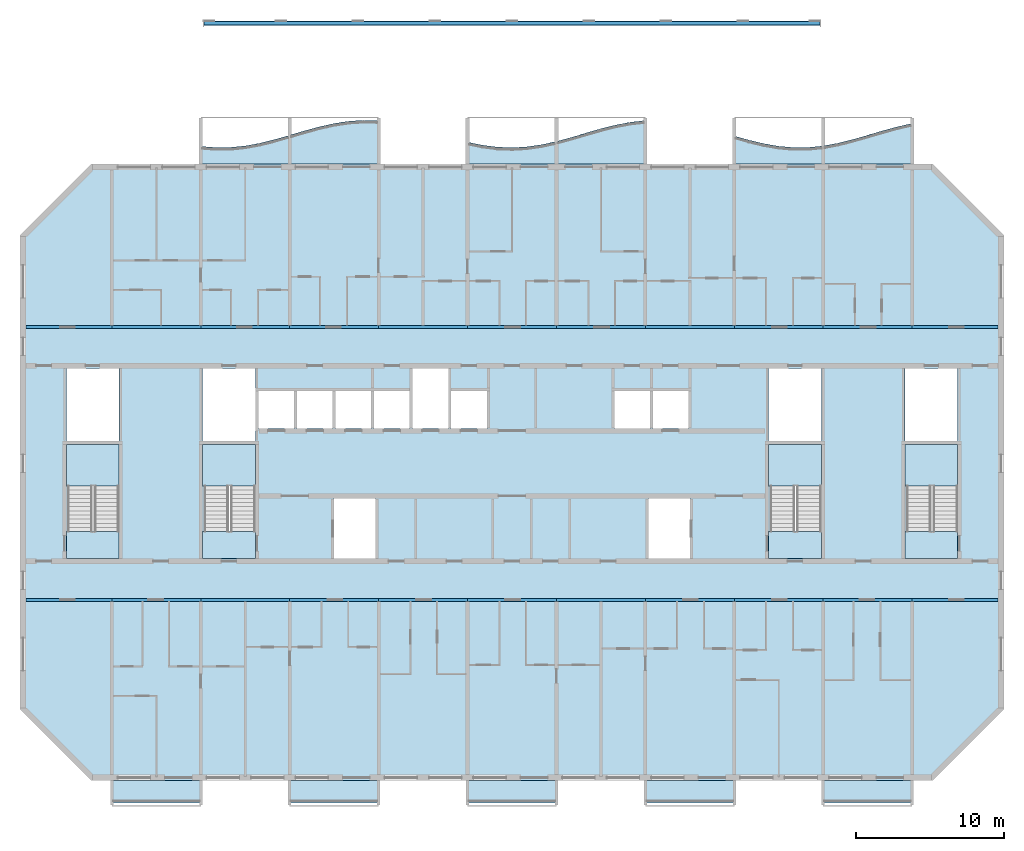
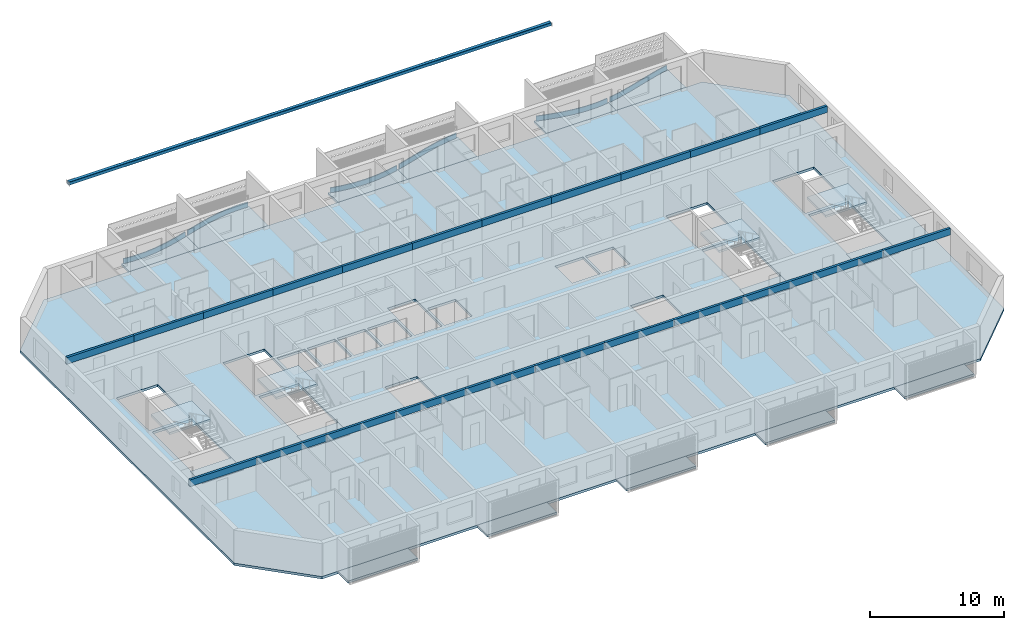
# One storey, part 1 of 20: 22 beams, 20 slabs, 6 plates, 1 member, 4 elements without a shape of their own.
"""IFC4 building model written with IfcOpenShell, lengths in metres."""

from ifc_helpers import new_model, si_unit, direction, frame, origin, origin_2d, place, context, subcontext, project, spatial, polyline, rectangle, hollow_rectangle, outline, extrude, source, transform, mapped, material, layer, layer_set, material_profile, profile_set, type_object, element, aggregate, save


model = new_model("IFC4")

# Units and contexts
model_context = context("Model", 3, precision=1e-05, world=origin(), true_north=direction((0.0, 1.0)))
body_context = subcontext(model_context, "Body", "Model", "MODEL_VIEW")
ifc_project = project(units=[si_unit("LENGTHUNIT", "METRE"), si_unit("AREAUNIT", "SQUARE_METRE"), si_unit("VOLUMEUNIT", "CUBIC_METRE"), si_unit("PLANEANGLEUNIT", "RADIAN"), si_unit("MASSUNIT", "GRAM", prefix="KILO")], contexts=[model_context])

# Site, building, storey
site_placement = place(None, origin())
site = spatial("IfcSite", under=ifc_project, at=site_placement, CompositionType="ELEMENT")
building_placement = place(site_placement, origin())
building = spatial("IfcBuilding", under=site, at=building_placement, Name="Poui Terraces", CompositionType="ELEMENT")
storey_placement = place(building_placement, frame((0.0, 0.0, 257.699951171875)))
storey = spatial("IfcBuildingStorey", under=building, at=storey_placement, Name="L72", CompositionType="ELEMENT", Elevation=257.699951171875)

# Member
ifc_material_1 = material(Name="Steel Grade 350 MPa", Category="steel")
ifc_material_profile_1 = material_profile(ifc_material_1, hollow_rectangle(XDim=0.300048828125, YDim=0.300048828125, WallThickness=0.01611328125, InnerFilletRadius=0.02392578125, OuterFilletRadius=0.0400390625, at=origin_2d()), Name="300x300x16.0 SHS")
ifc_profile_set_1 = profile_set([ifc_material_profile_1], Name="Steel Grade 350 MPa")
member_type = type_object("IfcMemberType", Name="TIP TRUSS BOTTOM CHORD 300x300x16.0 SHS", PredefinedType="BRACE", material=ifc_profile_set_1)
member_placement = place(storey_placement, frame((30.199951171875, 50.89990234375, 2.25), z_axis=(1.0, 0.0, 0.0), x_axis=(0.0, 1.0, 0.0)))
element("IfcMember", 1, at=member_placement, inside=storey, type_object=member_type, Name="TIP TRUSS BOTTOM CHORD", PredefinedType="BRACE", context=body_context, shape_type="SweptSolid", body=[
    extrude(hollow_rectangle(XDim=0.300048828125, YDim=0.300048828125, WallThickness=0.01611328125, InnerFilletRadius=0.02392578125, OuterFilletRadius=0.0400390625, at=origin_2d()), origin(), (0.0, 0.0, 1.0), 41.60009765625),
])

# Beams
ifc_material_2 = material(Name="Concrete 50 MPa", Category="concrete")
ifc_material_profile_2 = material_profile(ifc_material_2, rectangle(XDim=0.199951171875, YDim=0.60009765625, at=origin_2d()), Name="RC 200x600")
ifc_profile_set_2 = profile_set([ifc_material_profile_2], Name="Concrete 50 MPa")
beam_type = type_object("IfcBeamType", Name="COUPLING BEAM 200x600 50MPa", PredefinedType="BEAM", material=ifc_profile_set_2)
shared_shape_1 = source(origin(), body_context, "Body", "SweptSolid", [
    extrude(rectangle(XDim=0.199951171875, YDim=0.60009765625, at=origin_2d()), origin(), (0.0, 0.0, 1.0), 5.800048828125),
])
for number, where, z_axis, x_axis, name in (
    (2, (18.199951171875, 12.0, 2.699951171875), (1.0, 0.0, 0.0), (0.0, 1.0, 0.0), "COUPLING BEAM LINE B BAY 1"),
    (3, (78.0, 12.0, 2.699951171875), (1.0, 0.0, 0.0), (0.0, 1.0, 0.0), "COUPLING BEAM LINE B BAY 11"),
    (4, (18.199951171875, 30.39990234375, 2.699951171875), (1.0, 0.0, 0.0), (0.0, 1.0, 0.0), "COUPLING BEAM LINE E BAY 1"),
    (5, (78.0, 30.39990234375, 2.699951171875), (1.0, 0.0, 0.0), (0.0, 1.0, 0.0), "COUPLING BEAM LINE E BAY 11"),
):
    element("IfcBeam", number, at=place(storey_placement, frame(where, z_axis=z_axis, x_axis=x_axis)), inside=storey, type_object=beam_type, Name=name, PredefinedType="BEAM", context=body_context, shape_type="MappedRepresentation", body=[
        mapped(shared_shape_1, transform((0.0, 0.0, 0.0))),
    ])
shared_shape_2 = source(origin(), body_context, "Body", "SweptSolid", [
    extrude(rectangle(XDim=0.199951171875, YDim=0.60009765625, at=origin_2d()), origin(), (0.0, 0.0, 1.0), 6.0),
])
for number, where, z_axis, x_axis, name in (
    (6, (24.0, 12.0, 2.699951171875), (1.0, 0.0, 0.0), (0.0, 1.0, 0.0), "COUPLING BEAM LINE B BAY 2"),
    (7, (30.0, 12.0, 2.699951171875), (1.0, 0.0, 0.0), (0.0, 1.0, 0.0), "COUPLING BEAM LINE B BAY 3"),
    (8, (36.0, 12.0, 2.699951171875), (1.0, 0.0, 0.0), (0.0, 1.0, 0.0), "COUPLING BEAM LINE B BAY 4"),
    (9, (42.0, 12.0, 2.699951171875), (1.0, 0.0, 0.0), (0.0, 1.0, 0.0), "COUPLING BEAM LINE B BAY 5"),
    (10, (48.0, 12.0, 2.699951171875), (1.0, 0.0, 0.0), (0.0, 1.0, 0.0), "COUPLING BEAM LINE B BAY 6"),
    (11, (54.0, 12.0, 2.699951171875), (1.0, 0.0, 0.0), (0.0, 1.0, 0.0), "COUPLING BEAM LINE B BAY 7"),
    (12, (60.0, 12.0, 2.699951171875), (1.0, 0.0, 0.0), (0.0, 1.0, 0.0), "COUPLING BEAM LINE B BAY 8"),
    (13, (66.0, 12.0, 2.699951171875), (1.0, 0.0, 0.0), (0.0, 1.0, 0.0), "COUPLING BEAM LINE B BAY 9"),
    (14, (72.0, 12.0, 2.699951171875), (1.0, 0.0, 0.0), (0.0, 1.0, 0.0), "COUPLING BEAM LINE B BAY 10"),
    (15, (24.0, 30.39990234375, 2.699951171875), (1.0, 0.0, 0.0), (0.0, 1.0, 0.0), "COUPLING BEAM LINE E BAY 2"),
    (16, (30.0, 30.39990234375, 2.699951171875), (1.0, 0.0, 0.0), (0.0, 1.0, 0.0), "COUPLING BEAM LINE E BAY 3"),
    (17, (36.0, 30.39990234375, 2.699951171875), (1.0, 0.0, 0.0), (0.0, 1.0, 0.0), "COUPLING BEAM LINE E BAY 4"),
    (18, (42.0, 30.39990234375, 2.699951171875), (1.0, 0.0, 0.0), (0.0, 1.0, 0.0), "COUPLING BEAM LINE E BAY 5"),
    (19, (48.0, 30.39990234375, 2.699951171875), (1.0, 0.0, 0.0), (0.0, 1.0, 0.0), "COUPLING BEAM LINE E BAY 6"),
    (20, (54.0, 30.39990234375, 2.699951171875), (1.0, 0.0, 0.0), (0.0, 1.0, 0.0), "COUPLING BEAM LINE E BAY 7"),
    (21, (60.0, 30.39990234375, 2.699951171875), (1.0, 0.0, 0.0), (0.0, 1.0, 0.0), "COUPLING BEAM LINE E BAY 8"),
    (22, (66.0, 30.39990234375, 2.699951171875), (1.0, 0.0, 0.0), (0.0, 1.0, 0.0), "COUPLING BEAM LINE E BAY 9"),
    (23, (72.0, 30.39990234375, 2.699951171875), (1.0, 0.0, 0.0), (0.0, 1.0, 0.0), "COUPLING BEAM LINE E BAY 10"),
):
    element("IfcBeam", number, at=place(storey_placement, frame(where, z_axis=z_axis, x_axis=x_axis)), inside=storey, type_object=beam_type, Name=name, PredefinedType="BEAM", context=body_context, shape_type="MappedRepresentation", body=[
        mapped(shared_shape_2, transform((0.0, 0.0, 0.0))),
    ])

# Slabs
ifc_material_3 = material(Name="Precast concrete 40 MPa", Category="concrete")
ifc_layer_1 = layer(ifc_material_3, 0.199951171875)
ifc_layer_set_1 = layer_set([ifc_layer_1], Name="Precast concrete 40 MPa")
slab_type_1 = type_object("IfcSlabType", Name="BALCONY SLAB 200", PredefinedType="FLOOR", material=ifc_layer_set_1)
slab_1_placement = place(storey_placement, frame((0.0, 0.0, -0.199951171875)))
element("IfcSlab", 24, at=slab_1_placement, inside=storey, type_object=slab_type_1, Name="BALCONY SLAB", PredefinedType="FLOOR", context=body_context, shape_type="SweptSolid", body=[
    extrude(outline(polyline([(30.0, 41.39990234375), (36.0, 41.39990234375), (36.0, 43.338134765625), (35.0, 43.051025390625), (34.0, 42.802490234375), (33.0, 42.617919921875), (32.0, 42.516357421875), (31.0, 42.50830078125), (30.0, 42.5947265625), (30.0, 41.39990234375)])), origin(), (0.0, 0.0, 1.0), 0.199951171875),
])
slab_2_placement = place(storey_placement, frame((0.0, 0.0, -0.199951171875)))
element("IfcSlab", 25, at=slab_2_placement, inside=storey, type_object=slab_type_1, Name="BALCONY SLAB", PredefinedType="FLOOR", context=body_context, shape_type="SweptSolid", body=[
    extrude(outline(polyline([(36.0, 41.39990234375), (42.0, 41.39990234375), (42.0, 44.31689453125), (41.0, 44.3486328125), (40.0, 44.285400390625), (39.0, 44.133544921875), (38.0, 43.90869140625), (37.0, 43.63427734375), (36.0, 43.338134765625), (36.0, 41.39990234375)])), origin(), (0.0, 0.0, 1.0), 0.199951171875),
])
slab_3_placement = place(storey_placement, frame((0.0, 0.0, -0.199951171875)))
element("IfcSlab", 26, at=slab_3_placement, inside=storey, type_object=slab_type_1, Name="BALCONY SLAB", PredefinedType="FLOOR", context=body_context, shape_type="SweptSolid", body=[
    extrude(outline(polyline([(48.0, 41.39990234375), (54.0, 41.39990234375), (54.0, 42.920166015625), (53.0, 42.70068359375), (52.0, 42.555908203125), (51.0, 42.500244140625), (50.0, 42.5400390625), (49.0, 42.6708984375), (48.0, 42.87939453125), (48.0, 41.39990234375)])), origin(), (0.0, 0.0, 1.0), 0.199951171875),
])
slab_4_placement = place(storey_placement, frame((0.0, 0.0, -0.199951171875)))
element("IfcSlab", 27, at=slab_4_placement, inside=storey, type_object=slab_type_1, Name="BALCONY SLAB", PredefinedType="FLOOR", context=body_context, shape_type="SweptSolid", body=[
    extrude(outline(polyline([(54.0, 41.39990234375), (60.0, 41.39990234375), (60.0, 44.32861328125), (59.0, 44.2197265625), (58.0, 44.029052734375), (57.0, 43.776123046875), (56.0, 43.487060546875), (55.0, 43.191650390625), (54.0, 42.920166015625), (54.0, 41.39990234375)])), origin(), (0.0, 0.0, 1.0), 0.199951171875),
])
slab_5_placement = place(storey_placement, frame((0.0, 0.0, -0.199951171875)))
element("IfcSlab", 28, at=slab_5_placement, inside=storey, type_object=slab_type_1, Name="BALCONY SLAB", PredefinedType="FLOOR", context=body_context, shape_type="SweptSolid", body=[
    extrude(outline(polyline([(66.0, 41.39990234375), (72.0, 41.39990234375), (72.0, 42.617919921875), (71.0, 42.516357421875), (70.0, 42.50830078125), (69.0, 42.5947265625), (68.0, 42.7666015625), (67.0, 43.006103515625), (66.0, 43.288818359375), (66.0, 41.39990234375)])), origin(), (0.0, 0.0, 1.0), 0.199951171875),
])
slab_6_placement = place(storey_placement, frame((0.0, 0.0, -0.199951171875)))
element("IfcSlab", 29, at=slab_6_placement, inside=storey, type_object=slab_type_1, Name="BALCONY SLAB", PredefinedType="FLOOR", context=body_context, shape_type="SweptSolid", body=[
    extrude(outline(polyline([(72.0, 41.39990234375), (78.0, 41.39990234375), (78.0, 44.133544921875), (77.0, 43.90869140625), (76.0, 43.63427734375), (75.0, 43.338134765625), (74.0, 43.051025390625), (73.0, 42.802490234375), (72.0, 42.617919921875), (72.0, 41.39990234375)])), origin(), (0.0, 0.0, 1.0), 0.199951171875),
])

# Stair, slabs
stair_type = type_object("IfcStairType", Name="EXIT STAIR 1650 50 MPA", PredefinedType="HALF_TURN_STAIR", material=ifc_material_2)
stair_1_placement = place(storey_placement, origin())
stair_1 = element("IfcStair", 30, at=stair_1_placement, inside=storey, type_object=stair_type, Name="L72 CORE STAIR EAST", PredefinedType="HALF_TURN_STAIR")
ifc_layer_2 = layer(ifc_material_2, 0.199951171875)
ifc_layer_set_2 = layer_set([ifc_layer_2], Name="Concrete 50 MPa")
slab_type_2 = type_object("IfcSlabType", Name="STAIR LANDING 200 50 MPA", PredefinedType="LANDING", material=ifc_layer_set_2)
slab_7_placement = place(storey_placement, frame((0.0, 0.0, 1.449951171875)))
slab_7 = element("IfcSlab", 31, at=slab_7_placement, type_object=slab_type_2, Name="ST-CE landing 1", PredefinedType="LANDING", context=body_context, shape_type="SweptSolid", body=[
    extrude(outline(polyline([(68.324951171875, 19.679931640625), (71.875, 19.679931640625), (71.875, 22.47509765625), (68.324951171875, 22.47509765625), (68.324951171875, 19.679931640625)])), origin(), (0.0, 0.0, 1.0), 0.2001953125),
])
slab_8_placement = place(storey_placement, frame((0.0, 0.0, -0.199951171875)))
slab_8 = element("IfcSlab", 32, at=slab_8_placement, type_object=slab_type_2, Name="ST-CE landing 2", PredefinedType="LANDING", context=body_context, shape_type="SweptSolid", body=[
    extrude(outline(polyline([(68.324951171875, 14.77490234375), (71.875, 14.77490234375), (71.875, 16.60009765625), (68.324951171875, 16.60009765625), (68.324951171875, 14.77490234375)])), origin(), (0.0, 0.0, 1.0), 0.199951171875),
])
aggregate(stair_1, [slab_7, slab_8])

stair_2_placement = place(storey_placement, origin())
stair_2 = element("IfcStair", 33, at=stair_2_placement, inside=storey, type_object=stair_type, Name="L72 CORE STAIR WEST", PredefinedType="HALF_TURN_STAIR")
slab_9_placement = place(storey_placement, frame((0.0, 0.0, 1.449951171875)))
slab_9 = element("IfcSlab", 34, at=slab_9_placement, type_object=slab_type_2, Name="ST-CW landing 1", PredefinedType="LANDING", context=body_context, shape_type="SweptSolid", body=[
    extrude(outline(polyline([(30.125, 19.679931640625), (33.675048828125, 19.679931640625), (33.675048828125, 22.47509765625), (30.125, 22.47509765625), (30.125, 19.679931640625)])), origin(), (0.0, 0.0, 1.0), 0.2001953125),
])
slab_10_placement = place(storey_placement, frame((0.0, 0.0, -0.199951171875)))
slab_10 = element("IfcSlab", 35, at=slab_10_placement, type_object=slab_type_2, Name="ST-CW landing 2", PredefinedType="LANDING", context=body_context, shape_type="SweptSolid", body=[
    extrude(outline(polyline([(30.125, 14.77490234375), (33.675048828125, 14.77490234375), (33.675048828125, 16.60009765625), (30.125, 16.60009765625), (30.125, 14.77490234375)])), origin(), (0.0, 0.0, 1.0), 0.199951171875),
])
aggregate(stair_2, [slab_9, slab_10])

stair_3_placement = place(storey_placement, origin())
stair_3 = element("IfcStair", 36, at=stair_3_placement, inside=storey, type_object=stair_type, Name="L72 TIP STAIR EAST", PredefinedType="HALF_TURN_STAIR")
slab_11_placement = place(storey_placement, frame((0.0, 0.0, 1.449951171875)))
slab_11 = element("IfcSlab", 37, at=slab_11_placement, type_object=slab_type_2, Name="ST-E landing 1", PredefinedType="LANDING", context=body_context, shape_type="SweptSolid", body=[
    extrude(outline(polyline([(77.52490234375, 19.679931640625), (81.074951171875, 19.679931640625), (81.074951171875, 22.47509765625), (77.52490234375, 22.47509765625), (77.52490234375, 19.679931640625)])), origin(), (0.0, 0.0, 1.0), 0.2001953125),
])
slab_12_placement = place(storey_placement, frame((0.0, 0.0, -0.199951171875)))
slab_12 = element("IfcSlab", 38, at=slab_12_placement, type_object=slab_type_2, Name="ST-E landing 2", PredefinedType="LANDING", context=body_context, shape_type="SweptSolid", body=[
    extrude(outline(polyline([(77.52490234375, 14.77490234375), (81.074951171875, 14.77490234375), (81.074951171875, 16.60009765625), (77.52490234375, 16.60009765625), (77.52490234375, 14.77490234375)])), origin(), (0.0, 0.0, 1.0), 0.199951171875),
])
aggregate(stair_3, [slab_11, slab_12])

stair_4_placement = place(storey_placement, origin())
stair_4 = element("IfcStair", 39, at=stair_4_placement, inside=storey, type_object=stair_type, Name="L72 TIP STAIR WEST", PredefinedType="HALF_TURN_STAIR")
slab_13_placement = place(storey_placement, frame((0.0, 0.0, 1.449951171875)))
slab_13 = element("IfcSlab", 40, at=slab_13_placement, type_object=slab_type_2, Name="ST-W landing 1", PredefinedType="LANDING", context=body_context, shape_type="SweptSolid", body=[
    extrude(outline(polyline([(20.925048828125, 19.679931640625), (24.47509765625, 19.679931640625), (24.47509765625, 22.47509765625), (20.925048828125, 22.47509765625), (20.925048828125, 19.679931640625)])), origin(), (0.0, 0.0, 1.0), 0.2001953125),
])
slab_14_placement = place(storey_placement, frame((0.0, 0.0, -0.199951171875)))
slab_14 = element("IfcSlab", 41, at=slab_14_placement, type_object=slab_type_2, Name="ST-W landing 2", PredefinedType="LANDING", context=body_context, shape_type="SweptSolid", body=[
    extrude(outline(polyline([(20.925048828125, 14.77490234375), (24.47509765625, 14.77490234375), (24.47509765625, 16.60009765625), (20.925048828125, 16.60009765625), (20.925048828125, 14.77490234375)])), origin(), (0.0, 0.0, 1.0), 0.199951171875),
])
aggregate(stair_4, [slab_13, slab_14])

# Plates
ifc_layer_3 = layer(ifc_material_3, 0.080078125)
ifc_layer_set_3 = layer_set([ifc_layer_3], Name="Precast concrete 40 MPa")
plate_type = type_object("IfcPlateType", Name="SUNSHADE UPSTAND 80", PredefinedType="SHEET", material=ifc_layer_set_3)
plate_1_placement = place(storey_placement, origin())
element("IfcPlate", 42, at=plate_1_placement, inside=storey, type_object=plate_type, Name="SUNSHADE UPSTAND", PredefinedType="SHEET", context=body_context, shape_type="SweptSolid", body=[
    extrude(outline(polyline([(31.00146484375, 42.50341796875), (30.128173828125, 42.57373046875), (30.121826171875, 42.494140625), (30.99853515625, 42.42333984375), (32.002197265625, 42.431396484375), (33.005615234375, 42.533203125), (34.008544921875, 42.71826171875), (35.01025390625, 42.96728515625), (35.885986328125, 43.2177734375), (35.864013671875, 43.294677734375), (34.98974609375, 43.044677734375), (33.991455078125, 42.79638671875), (32.994384765625, 42.6123046875), (31.997802734375, 42.51123046875), (31.00146484375, 42.50341796875)])), origin(), (0.0, 0.0, 1.0), 0.449951171875),
])
plate_2_placement = place(storey_placement, origin())
element("IfcPlate", 43, at=plate_2_placement, inside=storey, type_object=plate_type, Name="SUNSHADE UPSTAND", PredefinedType="SHEET", context=body_context, shape_type="SweptSolid", body=[
    extrude(outline(polyline([(36.989013671875, 43.627685546875), (36.113525390625, 43.36865234375), (36.136474609375, 43.2919921875), (37.010986328125, 43.55078125), (38.009765625, 43.824951171875), (39.00732421875, 44.04931640625), (40.00439453125, 44.20068359375), (41.000732421875, 44.263671875), (41.8740234375, 44.240966796875), (41.8759765625, 44.32080078125), (41.842041015625, 44.322021484375), (40.999267578125, 44.34375), (39.99560546875, 44.2802734375), (38.99267578125, 44.1279296875), (37.990234375, 43.902587890625), (36.989013671875, 43.627685546875)])), origin(), (0.0, 0.0, 1.0), 0.449951171875),
])
plate_3_placement = place(storey_placement, origin())
element("IfcPlate", 44, at=plate_3_placement, inside=storey, type_object=plate_type, Name="SUNSHADE UPSTAND", PredefinedType="SHEET", context=body_context, shape_type="SweptSolid", body=[
    extrude(outline(polyline([(49.006591796875, 42.665283203125), (48.133056640625, 42.843994140625), (48.116943359375, 42.765380859375), (48.993408203125, 42.58642578125), (49.99658203125, 42.455078125), (51.000244140625, 42.415283203125), (52.00390625, 42.470947265625), (53.007080078125, 42.6162109375), (53.88330078125, 42.805419921875), (53.86669921875, 42.883544921875), (52.992919921875, 42.695068359375), (51.99609375, 42.550537109375), (50.999755859375, 42.495361328125), (50.00341796875, 42.534912109375), (49.006591796875, 42.665283203125)])), origin(), (0.0, 0.0, 1.0), 0.449951171875),
])
plate_4_placement = place(storey_placement, origin())
element("IfcPlate", 45, at=plate_4_placement, inside=storey, type_object=plate_type, Name="SUNSHADE UPSTAND", PredefinedType="SHEET", context=body_context, shape_type="SweptSolid", body=[
    extrude(outline(polyline([(54.989013671875, 43.18505859375), (54.114501953125, 42.9453125), (54.135498046875, 42.8681640625), (55.010986328125, 43.108154296875), (56.01123046875, 43.40380859375), (57.010498046875, 43.6923828125), (58.0087890625, 43.945068359375), (59.006103515625, 44.13525390625), (59.879638671875, 44.2353515625), (59.87060546875, 44.314697265625), (59.838134765625, 44.31103515625), (58.993896484375, 44.21435546875), (57.9912109375, 44.023193359375), (56.989501953125, 43.769775390625), (55.98876953125, 43.48046875), (54.989013671875, 43.18505859375)])), origin(), (0.0, 0.0, 1.0), 0.449951171875),
])
plate_5_placement = place(storey_placement, origin())
element("IfcPlate", 46, at=plate_5_placement, inside=storey, type_object=plate_type, Name="SUNSHADE UPSTAND", PredefinedType="SHEET", context=body_context, shape_type="SweptSolid", body=[
    extrude(outline(polyline([(67.010009765625, 43.0), (66.1357421875, 43.24560546875), (66.1142578125, 43.168701171875), (66.989990234375, 42.92236328125), (67.991943359375, 42.682373046875), (68.994873046875, 42.510009765625), (69.998291015625, 42.42333984375), (71.002197265625, 42.431396484375), (71.87890625, 42.515380859375), (71.87109375, 42.59521484375), (70.997802734375, 42.51123046875), (70.001708984375, 42.50341796875), (69.005126953125, 42.58935546875), (68.008056640625, 42.7607421875), (67.010009765625, 43.0)])), origin(), (0.0, 0.0, 1.0), 0.449951171875),
])
plate_6_placement = place(storey_placement, origin())
element("IfcPlate", 47, at=plate_6_placement, inside=storey, type_object=plate_type, Name="SUNSHADE UPSTAND", PredefinedType="SHEET", context=body_context, shape_type="SweptSolid", body=[
    extrude(outline(polyline([(72.991455078125, 42.79638671875), (72.11767578125, 42.630859375), (72.13232421875, 42.55224609375), (73.008544921875, 42.71826171875), (74.01025390625, 42.96728515625), (75.01123046875, 43.2548828125), (76.010986328125, 43.55078125), (77.009765625, 43.824951171875), (77.8837890625, 44.025146484375), (77.8662109375, 44.10302734375), (76.990234375, 43.902587890625), (75.989013671875, 43.627685546875), (74.98876953125, 43.33154296875), (73.98974609375, 43.044677734375), (72.991455078125, 42.79638671875)])), origin(), (0.0, 0.0, 1.0), 0.449951171875),
])

# Slabs
ifc_material_4 = material(Name="Concrete 40 MPa", Category="concrete")
ifc_layer_4 = layer(ifc_material_4, 0.219970703125)
ifc_layer_set_4 = layer_set([ifc_layer_4], Name="Concrete 40 MPa")
slab_type_3 = type_object("IfcSlabType", Name="FLOOR SLAB 220", PredefinedType="FLOOR", material=ifc_layer_set_4)
shared_shape_3 = source(origin(), body_context, "Body", "SweptSolid", [
    extrude(outline(polyline([(0.0, 0.0), (4.800048828125, -4.800048828125), (61.599853515625, -4.800048828125), (66.39990234375, 0.0), (66.39990234375, 32.0), (61.599853515625, 36.7998046875), (4.800048828125, 36.7998046875), (0.0, 32.0), (0.0, 0.0)]), holes=[polyline([(21.199951171875, 10.1748046875), (21.199951171875, 14.224853515625), (24.0, 14.224853515625), (24.0, 10.1748046875), (21.199951171875, 10.1748046875)]), polyline([(3.224853515625, 17.849853515625), (6.675048828125, 17.849853515625), (6.675048828125, 12.0), (6.675048828125, 10.1748046875), (3.125, 10.1748046875), (3.125, 12.0), (3.224853515625, 12.0), (3.224853515625, 17.849853515625)]), polyline([(12.425048828125, 17.849853515625), (15.875, 17.849853515625), (15.875, 12.0), (15.875, 10.1748046875), (12.324951171875, 10.1748046875), (12.324951171875, 12.0), (12.425048828125, 12.0), (12.425048828125, 17.849853515625)]), polyline([(16.099853515625, 18.974853515625), (16.099853515625, 21.5), (18.5, 21.5), (18.5, 18.974853515625), (16.099853515625, 18.974853515625)]), polyline([(18.699951171875, 18.974853515625), (18.699951171875, 21.5), (21.099853515625, 21.5), (21.099853515625, 18.974853515625), (18.699951171875, 18.974853515625)]), polyline([(21.300048828125, 18.974853515625), (21.300048828125, 21.5), (23.699951171875, 21.5), (23.699951171875, 18.974853515625), (21.300048828125, 18.974853515625)]), polyline([(23.89990234375, 18.974853515625), (23.89990234375, 21.5), (26.300048828125, 21.5), (26.300048828125, 18.974853515625), (23.89990234375, 18.974853515625)]), polyline([(3.125, 23.02490234375), (6.675048828125, 23.02490234375), (6.675048828125, 18.125), (3.125, 18.125), (3.125, 23.02490234375)]), polyline([(12.324951171875, 23.02490234375), (15.875, 23.02490234375), (15.875, 18.125), (12.324951171875, 18.125), (12.324951171875, 23.02490234375)]), polyline([(42.39990234375, 10.1748046875), (42.39990234375, 14.224853515625), (45.199951171875, 14.224853515625), (45.199951171875, 10.1748046875), (42.39990234375, 10.1748046875)]), polyline([(50.625, 17.849853515625), (54.074951171875, 17.849853515625), (54.074951171875, 12.0), (54.074951171875, 10.1748046875), (50.52490234375, 10.1748046875), (50.52490234375, 12.0), (50.625, 12.0), (50.625, 17.849853515625)]), polyline([(59.824951171875, 17.849853515625), (63.27490234375, 17.849853515625), (63.27490234375, 12.0), (63.27490234375, 10.1748046875), (59.724853515625, 10.1748046875), (59.724853515625, 12.0), (59.824951171875, 12.0), (59.824951171875, 17.849853515625)]), polyline([(29.099853515625, 18.974853515625), (29.099853515625, 21.5), (31.5, 21.5), (31.5, 18.974853515625), (29.099853515625, 18.974853515625)]), polyline([(40.099853515625, 18.974853515625), (40.099853515625, 21.5), (42.5, 21.5), (42.5, 18.974853515625), (40.099853515625, 18.974853515625)]), polyline([(42.699951171875, 18.974853515625), (42.699951171875, 21.5), (45.099853515625, 21.5), (45.099853515625, 18.974853515625), (42.699951171875, 18.974853515625)]), polyline([(50.52490234375, 18.125), (50.52490234375, 23.02490234375), (54.074951171875, 23.02490234375), (54.074951171875, 18.125), (50.52490234375, 18.125)]), polyline([(59.724853515625, 23.02490234375), (63.27490234375, 23.02490234375), (63.27490234375, 18.125), (59.724853515625, 18.125), (59.724853515625, 23.02490234375)]), polyline([(26.5, 23.02490234375), (28.89990234375, 23.02490234375), (28.89990234375, 18.974853515625), (26.5, 18.974853515625), (26.5, 23.02490234375)])]), origin(), (0.0, 0.0, 1.0), 0.219970703125),
])
slab_15_placement = place(storey_placement, frame((17.800048828125, 4.60009765625, -0.219970703125)))
element("IfcSlab", 48, at=slab_15_placement, inside=storey, type_object=slab_type_3, Name="FLOOR SLAB", PredefinedType="FLOOR", context=body_context, shape_type="MappedRepresentation", body=[
    mapped(shared_shape_3, transform((0.0, 0.0, 0.0))),
])
ifc_layer_5 = layer(ifc_material_3, 0.199951171875)
ifc_layer_set_5 = layer_set([ifc_layer_5], Name="Precast concrete 40 MPa")
slab_type_4 = type_object("IfcSlabType", Name="REAR BALCONY SLAB 200", PredefinedType="FLOOR", material=ifc_layer_set_5)
shared_shape_4 = source(origin(), body_context, "Body", "SweptSolid", [
    extrude(outline(polyline([(0.0, 0.0), (6.0, 0.0), (6.0, 1.5), (0.0, 1.5), (0.0, 0.0)])), origin(), (0.0, 0.0, 1.0), 0.199951171875),
])
for number, where, name in (
    (49, (24.0, -1.699951171875, -0.199951171875), "REAR BALCONY SLAB"),
    (50, (36.0, -1.699951171875, -0.199951171875), "REAR BALCONY SLAB"),
    (51, (48.0, -1.699951171875, -0.199951171875), "REAR BALCONY SLAB"),
    (52, (60.0, -1.699951171875, -0.199951171875), "REAR BALCONY SLAB"),
    (53, (72.0, -1.699951171875, -0.199951171875), "REAR BALCONY SLAB"),
):
    element("IfcSlab", number, at=place(storey_placement, frame(where)), inside=storey, type_object=slab_type_4, Name=name, PredefinedType="FLOOR", context=body_context, shape_type="MappedRepresentation", body=[
        mapped(shared_shape_4, transform((0.0, 0.0, 0.0))),
    ])

save(model, "model.ifc")
